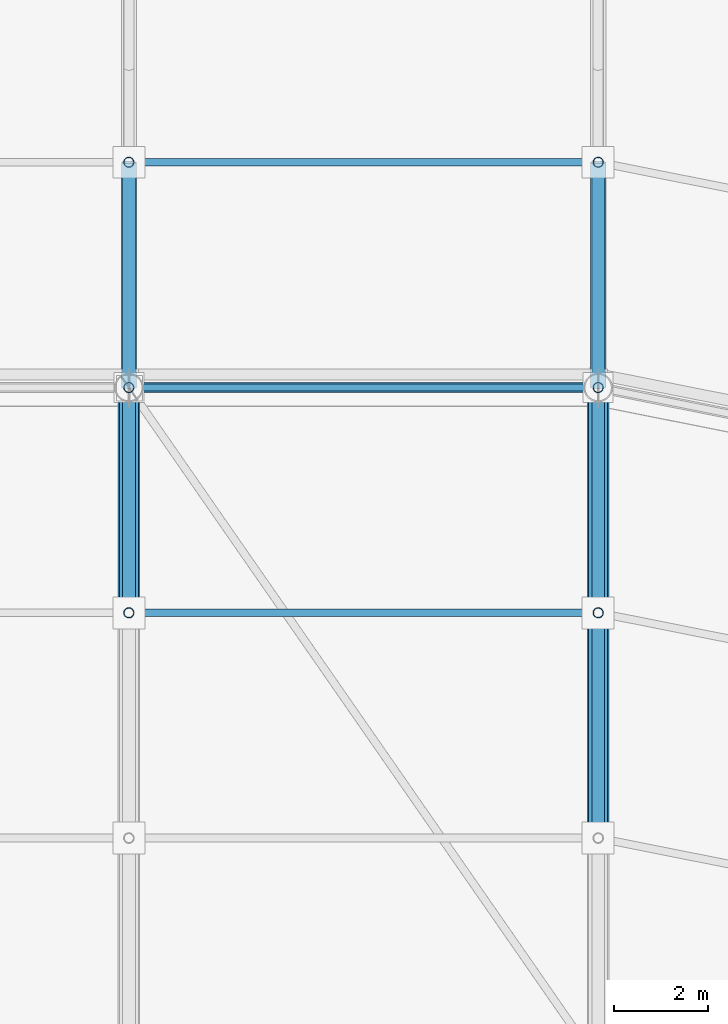
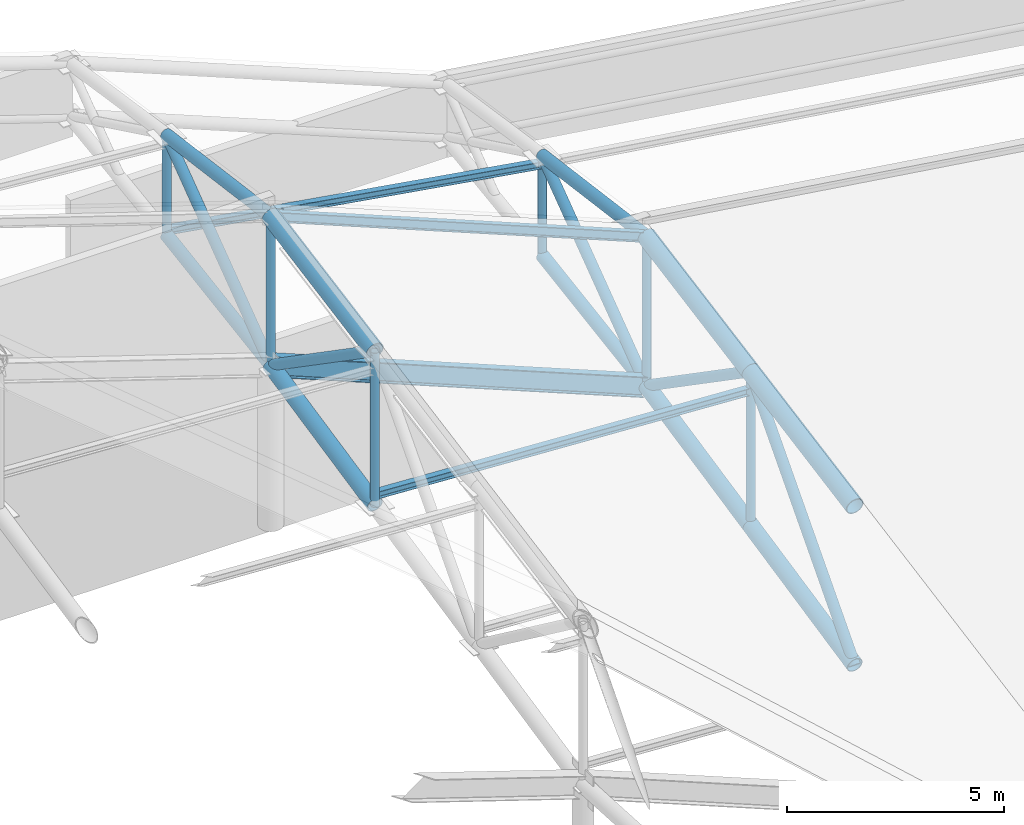
# One storey, part 97 of 146: 23 members, 2 beams.
"""IFC4 building model written with IfcOpenShell, lengths in metres."""

import ifcopenshell
import ifcopenshell.guid

model = None  # the IFC model being written
_history = None  # IfcOwnerHistory: only IFC2X3 demands one
_inside = {}  # id of a spatial element -> (the spatial element, [elements in it])
_under = {}  # id of a project, library or spatial element -> (it, [spatial elements below it])
_declared = {}  # id of a project -> (the project, [libraries it declares])
_typed = {}  # id of a type object -> (the type object, [elements of that type])
_made_of = {}  # id of a material, layer set ... -> (it, [elements and type objects made of it])


def new_model(schema):
    """Start an empty IFC model of exactly this schema.

    Asked for "IFC4X3", IfcOpenShell would pick the latest addendum, in which some entities
    have other attributes; the version numbers below select the first issue.
    IFC2X3 requires an IfcOwnerHistory on every rooted entity: one is made here for all.
    """
    global model, _history
    if schema == "IFC4X3":
        model = ifcopenshell.file(schema_version=(4, 3, 0, 0))
    else:
        model = ifcopenshell.file(schema=schema)
    _inside.clear()
    _under.clear()
    _declared.clear()
    _typed.clear()
    _made_of.clear()
    _history = None
    if model.schema == "IFC2X3":
        org = make("IfcOrganization", Name="unknown")
        user = make(
            "IfcPersonAndOrganization",
            ThePerson=make("IfcPerson", FamilyName="unknown"),
            TheOrganization=org,
        )
        app = make(
            "IfcApplication",
            ApplicationDeveloper=org,
            Version="unknown",
            ApplicationFullName="unknown",
            ApplicationIdentifier="unknown",
        )
        _history = make(
            "IfcOwnerHistory",
            OwningUser=user,
            OwningApplication=app,
            ChangeAction="ADDED",
            CreationDate=0,
        )
    return model


def make(cls, **values):
    """One entity of the class cls with the attributes given. An attribute that is None is left unset."""
    return model.create_entity(
        cls, **{name: value for name, value in values.items() if value is not None}
    )


def rooted(cls, **values):
    """An entity with a GlobalId (a new one), such as an element, a storey or a relation."""
    return make(cls, GlobalId=ifcopenshell.guid.new(), OwnerHistory=_history, **values)


def si_unit(unit_type, name, prefix=None):
    """IfcSIUnit, for example si_unit("LENGTHUNIT", "METRE", prefix="MILLI")."""
    return make("IfcSIUnit", UnitType=unit_type, Prefix=prefix, Name=name)


def assignment(units):
    """IfcUnitAssignment: the units of a project."""
    return None if units is None else make("IfcUnitAssignment", Units=units)


def point(xyz):
    """IfcCartesianPoint."""
    return None if xyz is None else make("IfcCartesianPoint", Coordinates=xyz)


def direction(xyz):
    """IfcDirection."""
    return None if xyz is None else make("IfcDirection", DirectionRatios=xyz)


def frame(location, z_axis=None, x_axis=None):
    """IfcAxis2Placement3D, a coordinate frame: its origin and axes. An axis left out is left unset."""
    return make(
        "IfcAxis2Placement3D",
        Location=point(location),
        Axis=direction(z_axis),
        RefDirection=direction(x_axis),
    )


def frame_2d(location, x_axis=None):
    """IfcAxis2Placement2D, a coordinate frame in the plane: its origin and x axis."""
    return make(
        "IfcAxis2Placement2D", Location=point(location), RefDirection=direction(x_axis)
    )


def origin():
    """The frame at (0, 0, 0) with its axes left unset."""
    return frame((0.0, 0.0, 0.0))


def origin_2d():
    """The frame at (0, 0) in the plane with its x axis left unset."""
    return frame_2d((0.0, 0.0))


def place(relative_to, where):
    """IfcLocalPlacement: puts the frame where relative to a parent placement (None: the world)."""
    return make(
        "IfcLocalPlacement", PlacementRelTo=relative_to, RelativePlacement=where
    )


def context(
    kind, dimensions, precision=None, world=None, true_north=None, identifier=None
):
    """IfcGeometricRepresentationContext, for example the 3D "Model" context."""
    return make(
        "IfcGeometricRepresentationContext",
        ContextIdentifier=identifier,
        ContextType=kind,
        CoordinateSpaceDimension=dimensions,
        Precision=precision,
        WorldCoordinateSystem=world,
        TrueNorth=true_north,
    )


def subcontext(parent, identifier, kind, view, scale=None):
    """IfcGeometricRepresentationSubContext, for example "Body" below "Model"."""
    return make(
        "IfcGeometricRepresentationSubContext",
        ContextIdentifier=identifier,
        ContextType=kind,
        ParentContext=parent,
        TargetScale=scale,
        TargetView=view,
    )


def project(units=None, contexts=None):
    """IfcProject with its units and contexts."""
    return rooted(
        "IfcProject",
        Name="project",
        RepresentationContexts=contexts,
        UnitsInContext=assignment(units),
    )


def spatial(cls, under=None, at=None, **own):
    """A site, building, storey or space (cls), placed at a placement, below another one or the project."""
    s = rooted(cls, ObjectPlacement=at, **own)
    if under is not None:
        _under.setdefault(under.id(), (under, []))[1].append(s)
    return s


def profile(cls, at=None, kind="AREA", **sizes):
    """A parametric profile (cls). Its sizes go by their IFC names, for example OverallWidth=200.0."""
    return make(cls, ProfileType=kind, Position=at, **sizes)


def hollow_circle(**sizes):
    """IfcCircleHollowProfileDef."""
    return profile("IfcCircleHollowProfileDef", **sizes)


def i_section(**sizes):
    """IfcIShapeProfileDef."""
    return profile("IfcIShapeProfileDef", **sizes)


def extrude(swept, where, along, depth):
    """IfcExtrudedAreaSolid: the profile swept, set in the frame where, extruded along a direction by depth."""
    return make(
        "IfcExtrudedAreaSolid",
        SweptArea=swept,
        Position=where,
        ExtrudedDirection=direction(along),
        Depth=depth,
    )


def shape(context_of_items, identifier, shape_type, items):
    """IfcShapeRepresentation: the items that make up one representation, for example the "Body"."""
    return make(
        "IfcShapeRepresentation",
        ContextOfItems=context_of_items,
        RepresentationIdentifier=identifier,
        RepresentationType=shape_type,
        Items=items,
    )


def material(Name=None, Category=None):
    """IfcMaterial."""
    return make("IfcMaterial", Name=Name, Category=Category)


def material_profile(
    of_material, cross_section, Name=None, Category=None, Priority=None
):
    """IfcMaterialProfile: a cross section and its material."""
    return make(
        "IfcMaterialProfile",
        Name=Name,
        Material=of_material,
        Profile=cross_section,
        Priority=Priority,
        Category=Category,
    )


def profile_set(profiles, Name=None, composite=None):
    """IfcMaterialProfileSet."""
    return make(
        "IfcMaterialProfileSet",
        Name=Name,
        MaterialProfiles=profiles,
        CompositeProfile=composite,
    )


def made_of(thing, what):
    """Note that an element or type object is made of a material, layer set ...; save() writes the relation."""
    if what is not None:
        _made_of.setdefault(what.id(), (what, []))[1].append(thing)
    return thing


def type_object(cls, material=None, **own):
    """A type object (cls), such as IfcWallType, which elements share."""
    return made_of(rooted(cls, **own), material)


def element(
    cls,
    number,
    at=None,
    inside=None,
    cuts=None,
    type_object=None,
    material=None,
    context=None,
    identifier="Body",
    shape_type=None,
    held_by="IfcProductDefinitionShape",
    body=None,
    shapes=None,
    **own,
):
    """One element of the class cls, such as IfcWall. Its Tag is "e" and its number.

    at: its placement. inside: the storey or other place that contains it. cuts: it is an
    opening in that element (IfcRelVoidsElement). A single representation is given by context,
    identifier, shape_type and body (its items); several are given by shapes. held_by: the class
    of the entity that holds the representations. save() writes the other relations.
    """
    e = rooted(cls, Tag="e%d" % number, ObjectPlacement=at, **own)
    if body is not None:
        shapes = [shape(context, identifier, shape_type, body)]
    if shapes is not None:
        e.Representation = make(held_by, Representations=shapes)
    if inside is not None:
        _inside.setdefault(inside.id(), (inside, []))[1].append(e)
    if cuts is not None:
        rooted(
            "IfcRelVoidsElement", RelatingBuildingElement=cuts, RelatedOpeningElement=e
        )
    if type_object is not None:
        _typed.setdefault(type_object.id(), (type_object, []))[1].append(e)
    return made_of(e, material)


def aggregate(whole, parts):
    """IfcRelAggregates: a whole, such as a stair, and the parts it consists of."""
    return rooted("IfcRelAggregates", RelatingObject=whole, RelatedObjects=parts)


def save(model, path):
    """Write the relations noted so far, then the file.

    IfcRelAggregates (storeys below a building ...), IfcRelContainedInSpatialStructure (elements
    in a storey), IfcRelDefinesByType, IfcRelAssociatesMaterial and IfcRelDeclares: one each for
    every whole, place, type object, material and project.
    """
    for whole, parts in _under.values():
        aggregate(whole, parts)
    for where, things in _inside.values():
        rooted(
            "IfcRelContainedInSpatialStructure",
            RelatedElements=things,
            RelatingStructure=where,
        )
    for kind, things in _typed.values():
        rooted("IfcRelDefinesByType", RelatedObjects=things, RelatingType=kind)
    for what, things in _made_of.values():
        rooted("IfcRelAssociatesMaterial", RelatedObjects=things, RelatingMaterial=what)
    for by, libraries in _declared.values():
        rooted("IfcRelDeclares", RelatingContext=by, RelatedDefinitions=libraries)
    model.write(path)


model = new_model("IFC4")

# Units and contexts
model_context = context("Model", 3, precision=1e-05, world=origin(), true_north=direction((0.0, 1.0)))
body_context = subcontext(model_context, "Body", "Model", "MODEL_VIEW")
ifc_project = project(units=[si_unit("LENGTHUNIT", "METRE"), si_unit("AREAUNIT", "SQUARE_METRE"), si_unit("VOLUMEUNIT", "CUBIC_METRE"), si_unit("PLANEANGLEUNIT", "RADIAN"), si_unit("MASSUNIT", "GRAM", prefix="KILO")], contexts=[model_context])

# Site, building, storey
site_placement = place(None, origin())
site = spatial("IfcSite", under=ifc_project, at=site_placement, CompositionType="ELEMENT")
building_placement = place(site_placement, origin())
building = spatial("IfcBuilding", under=site, at=building_placement, Name="Candeia Ridge Stadium", CompositionType="ELEMENT")
storey_placement = place(building_placement, frame((0.0, 0.0, 31.800048828125)))
storey = spatial("IfcBuildingStorey", under=building, at=storey_placement, Name="RF", CompositionType="ELEMENT", Elevation=31.800048828125)

# Beams
ifc_material = material(Name="Steel ASTM A572 Grade 50", Category="steel")
ifc_material_profile_1 = material_profile(ifc_material, i_section(OverallWidth=0.14794921875, OverallDepth=0.26611328125, WebThickness=0.007568359375, FlangeThickness=0.012939453125, FilletRadius=0.010986328125, at=origin_2d()), Name="W250x44.8", Category="steel")
ifc_profile_set_1 = profile_set([ifc_material_profile_1], Name="Steel ASTM A572 Grade 50")
beam_type_1 = type_object("IfcBeamType", Name="Canopy Edge Spandrel W250x44.8", PredefinedType="SPANDREL", material=ifc_profile_set_1)
beam_1_placement = place(storey_placement, frame((140.962890625, 147.0, 4.614990234375), z_axis=(-0.925945510704, 0.0, 0.377657134457), x_axis=(0.0, -1.0, 0.0)))
element("IfcBeam", 1, at=beam_1_placement, inside=storey, type_object=beam_type_1, Name="Roof crown cap ring beam bay 01", PredefinedType="SPANDREL", context=body_context, shape_type="SweptSolid", body=[
    extrude(i_section(OverallWidth=0.14794921875, OverallDepth=0.26611328125, WebThickness=0.007568359375, FlangeThickness=0.012939453125, FilletRadius=0.010986328125, at=origin_2d()), origin(), (0.0, 0.0, 1.0), 10.7197265625),
])
ifc_material_profile_2 = material_profile(ifc_material, i_section(OverallWidth=0.2119140625, OverallDepth=0.5439453125, WebThickness=0.01318359375, FlangeThickness=0.021240234375, FilletRadius=0.013916015625, at=origin_2d()), Name="W530x123", Category="steel")
ifc_profile_set_2 = profile_set([ifc_material_profile_2], Name="Steel ASTM A572 Grade 50")
beam_type_2 = type_object("IfcBeamType", Name="Roof Perimeter Ring Beam W530x123", PredefinedType="BEAM", material=ifc_profile_set_2)
beam_2_placement = place(storey_placement, frame((140.962890625, 147.0, 0.4150390625), z_axis=(-0.925945510704, 0.0, 0.377657134457), x_axis=(0.0, -1.0, 0.0)))
element("IfcBeam", 2, at=beam_2_placement, inside=storey, type_object=beam_type_2, Name="Roof perimeter ring beam bay 01", PredefinedType="BEAM", context=body_context, shape_type="SweptSolid", body=[
    extrude(i_section(OverallWidth=0.2119140625, OverallDepth=0.5439453125, WebThickness=0.01318359375, FlangeThickness=0.021240234375, FilletRadius=0.013916015625, at=origin_2d()), origin(), (0.0, 0.0, 1.0), 10.7197265625),
])

# Members
ifc_material_profile_3 = material_profile(ifc_material, i_section(OverallWidth=0.1650390625, OverallDepth=0.200927734375, WebThickness=0.006103515625, FlangeThickness=0.01025390625, FilletRadius=0.010009765625, at=origin_2d()), Name="W200x35.9", Category="steel")
ifc_profile_set_3 = profile_set([ifc_material_profile_3], Name="Steel ASTM A572 Grade 50")
member_type_1 = type_object("IfcMemberType", Name="Roof Purlin W200x35.9", PredefinedType="PURLIN", material=ifc_profile_set_3)
member_1_placement = place(storey_placement, frame((140.9501953125, 142.199951171875, 3.19482421875), z_axis=(-0.998435557369, 0.0, 0.055914557871), x_axis=(0.0, -1.0, 0.0)))
element("IfcMember", 3, at=member_1_placement, inside=storey, type_object=member_type_1, Name="Saddle roof steel purlin bay 01-4", PredefinedType="PURLIN", context=body_context, shape_type="SweptSolid", body=[
    extrude(i_section(OverallWidth=0.1650390625, OverallDepth=0.200927734375, WebThickness=0.006103515625, FlangeThickness=0.01025390625, FilletRadius=0.010009765625, at=origin_2d()), origin(), (0.0, 0.0, 1.0), 9.916015625),
])
member_2_placement = place(storey_placement, frame((140.95068359375, 151.800048828125, 3.746337890625), z_axis=(-0.986942119653, 0.0, 0.161075300572), x_axis=(0.0, -1.0, 0.0)))
element("IfcMember", 4, at=member_2_placement, inside=storey, type_object=member_type_1, Name="Saddle roof steel purlin bay 01-5", PredefinedType="PURLIN", context=body_context, shape_type="SweptSolid", body=[
    extrude(i_section(OverallWidth=0.1650390625, OverallDepth=0.200927734375, WebThickness=0.006103515625, FlangeThickness=0.01025390625, FilletRadius=0.010009765625, at=origin_2d()), origin(), (0.0, 0.0, 1.0), 10.032470703125),
])
ifc_material_profile_4 = material_profile(ifc_material, hollow_circle(Radius=0.161865234375, WallThickness=0.012451171875, at=origin_2d()), Name="CHS323x12", Category="steel")
ifc_profile_set_4 = profile_set([ifc_material_profile_4], Name="Steel ASTM A572 Grade 50")
member_type_2 = type_object("IfcMemberType", Name="Roof Truss Eaves Chord CHS323x12", PredefinedType="CHORD", material=ifc_profile_set_4)
member_3_placement = place(storey_placement, frame((141.0, 147.0, 4.599853515625), z_axis=(0.0, 0.991184698971, -0.132487329683), x_axis=(-1.0, 0.0, 0.0)))
element("IfcMember", 5, at=member_3_placement, inside=storey, type_object=member_type_2, Name="Roof cantilever truss RT-01 top chord 7", PredefinedType="CHORD", context=body_context, shape_type="SweptSolid", body=[
    extrude(hollow_circle(Radius=0.161865234375, WallThickness=0.012451171875, at=origin_2d()), origin(), (0.0, 0.0, 1.0), 4.8427734375),
])
member_4_placement = place(storey_placement, frame((141.0, 147.0, 0.39990234375), z_axis=(0.0, 0.987950881294, 0.154767749066), x_axis=(-1.0, 0.0, 0.0)))
element("IfcMember", 6, at=member_4_placement, inside=storey, type_object=member_type_2, Name="Roof cantilever truss RT-01 bottom chord 7", PredefinedType="CHORD", context=body_context, shape_type="SweptSolid", body=[
    extrude(hollow_circle(Radius=0.161865234375, WallThickness=0.012451171875, at=origin_2d()), origin(), (0.0, 0.0, 1.0), 4.858642578125),
])
member_5_placement = place(storey_placement, frame((131.0, 147.0, 8.678466796875), z_axis=(0.0, 0.991184698971, -0.132487329683), x_axis=(-1.0, 0.0, 0.0)))
element("IfcMember", 7, at=member_5_placement, inside=storey, type_object=member_type_2, Name="Roof cantilever truss RT-02 top chord 7", PredefinedType="CHORD", context=body_context, shape_type="SweptSolid", body=[
    extrude(hollow_circle(Radius=0.161865234375, WallThickness=0.012451171875, at=origin_2d()), origin(), (0.0, 0.0, 1.0), 4.8427734375),
])
member_6_placement = place(storey_placement, frame((131.0, 147.0, 4.478515625), z_axis=(0.0, 0.987950881294, 0.154767749066), x_axis=(-1.0, 0.0, 0.0)))
element("IfcMember", 8, at=member_6_placement, inside=storey, type_object=member_type_2, Name="Roof cantilever truss RT-02 bottom chord 7", PredefinedType="CHORD", context=body_context, shape_type="SweptSolid", body=[
    extrude(hollow_circle(Radius=0.161865234375, WallThickness=0.012451171875, at=origin_2d()), origin(), (0.0, 0.0, 1.0), 4.858642578125),
])
ifc_material_profile_5 = material_profile(ifc_material, hollow_circle(Radius=0.136474609375, WallThickness=0.010009765625, at=origin_2d()), Name="CHS273x10", Category="steel")
ifc_profile_set_5 = profile_set([ifc_material_profile_5], Name="Steel ASTM A572 Grade 50")
member_type_3 = type_object("IfcMemberType", Name="Roof Truss Heavy Web Brace CHS273x10", PredefinedType="BRACE", material=ifc_profile_set_5)
member_7_placement = place(storey_placement, frame((141.0, 137.39990234375, -1.642822265625), z_axis=(0.0, 0.667487252066, 0.744621224737), x_axis=(-1.0, 0.0, 0.0)))
element("IfcMember", 9, at=member_7_placement, inside=storey, type_object=member_type_3, Name="Roof cantilever truss RT-01 diagonal web 5", PredefinedType="BRACE", context=body_context, shape_type="SweptSolid", body=[
    extrude(hollow_circle(Radius=0.136474609375, WallThickness=0.010009765625, at=origin_2d()), origin(), (0.0, 0.0, 1.0), 7.191162109375),
])
member_8_placement = place(storey_placement, frame((141.0, 142.199951171875, 3.7119140625), z_axis=(0.0, 0.823081876777, -0.567922727245), x_axis=(-1.0, 0.0, 0.0)))
element("IfcMember", 10, at=member_8_placement, inside=storey, type_object=member_type_3, Name="Roof cantilever truss RT-01 diagonal web 6", PredefinedType="BRACE", context=body_context, shape_type="SweptSolid", body=[
    extrude(hollow_circle(Radius=0.136474609375, WallThickness=0.010009765625, at=origin_2d()), origin(), (0.0, 0.0, 1.0), 5.831787109375),
])
member_9_placement = place(storey_placement, frame((141.0, 147.0, 0.39990234375), z_axis=(0.0, 0.803336374347, 0.595525540721), x_axis=(-1.0, 0.0, 0.0)))
element("IfcMember", 11, at=member_9_placement, inside=storey, type_object=member_type_3, Name="Roof cantilever truss RT-01 diagonal web 7", PredefinedType="BRACE", context=body_context, shape_type="SweptSolid", body=[
    extrude(hollow_circle(Radius=0.136474609375, WallThickness=0.010009765625, at=origin_2d()), origin(), (0.0, 0.0, 1.0), 5.97509765625),
])
member_10_placement = place(storey_placement, frame((131.0, 142.199951171875, 7.79052734375), z_axis=(0.0, 0.823081876777, -0.567922727245), x_axis=(-1.0, 0.0, 0.0)))
element("IfcMember", 12, at=member_10_placement, inside=storey, type_object=member_type_3, Name="Roof cantilever truss RT-02 diagonal web 6", PredefinedType="BRACE", context=body_context, shape_type="SweptSolid", body=[
    extrude(hollow_circle(Radius=0.136474609375, WallThickness=0.010009765625, at=origin_2d()), origin(), (0.0, 0.0, 1.0), 5.831787109375),
])
member_11_placement = place(storey_placement, frame((131.0, 147.0, 4.478515625), z_axis=(0.0, 0.803336374347, 0.595525540721), x_axis=(-1.0, 0.0, 0.0)))
element("IfcMember", 13, at=member_11_placement, inside=storey, type_object=member_type_3, Name="Roof cantilever truss RT-02 diagonal web 7", PredefinedType="BRACE", context=body_context, shape_type="SweptSolid", body=[
    extrude(hollow_circle(Radius=0.136474609375, WallThickness=0.010009765625, at=origin_2d()), origin(), (0.0, 0.0, 1.0), 5.97509765625),
])
ifc_material_profile_6 = material_profile(ifc_material, hollow_circle(Radius=0.109619140625, WallThickness=0.010009765625, at=origin_2d()), Name="CHS219x10", Category="steel")
ifc_profile_set_6 = profile_set([ifc_material_profile_6], Name="Steel ASTM A572 Grade 50")
member_type_4 = type_object("IfcMemberType", Name="Roof Truss Inner Web Brace CHS219x10", PredefinedType="BRACE", material=ifc_profile_set_6)
member_12_placement = place(storey_placement, frame((141.0, 142.199951171875, -0.621337890625), z_axis=(0.0, 0.0, 1.0), x_axis=(1.0, 0.0, 0.0)))
element("IfcMember", 14, at=member_12_placement, inside=storey, type_object=member_type_4, Name="Roof cantilever truss RT-01 vertical post 5", PredefinedType="BRACE", context=body_context, shape_type="SweptSolid", body=[
    extrude(hollow_circle(Radius=0.109619140625, WallThickness=0.010009765625, at=origin_2d()), origin(), (0.0, 0.0, 1.0), 4.333251953125),
])
member_13_placement = place(storey_placement, frame((141.0, 147.0, 0.39990234375), z_axis=(0.0, 0.0, 1.0), x_axis=(1.0, 0.0, 0.0)))
element("IfcMember", 15, at=member_13_placement, inside=storey, type_object=member_type_4, Name="Roof cantilever truss RT-01 vertical post 6", PredefinedType="BRACE", context=body_context, shape_type="SweptSolid", body=[
    extrude(hollow_circle(Radius=0.109619140625, WallThickness=0.010009765625, at=origin_2d()), origin(), (0.0, 0.0, 1.0), 4.199951171875),
])
member_14_placement = place(storey_placement, frame((141.0, 151.800048828125, 1.15185546875), z_axis=(0.0, 0.0, 1.0), x_axis=(1.0, 0.0, 0.0)))
element("IfcMember", 16, at=member_14_placement, inside=storey, type_object=member_type_4, Name="Roof cantilever truss RT-01 vertical post 7", PredefinedType="BRACE", context=body_context, shape_type="SweptSolid", body=[
    extrude(hollow_circle(Radius=0.109619140625, WallThickness=0.010009765625, at=origin_2d()), origin(), (0.0, 0.0, 1.0), 2.806396484375),
])
member_15_placement = place(storey_placement, frame((131.0, 142.199951171875, 3.45703125), z_axis=(0.0, 0.0, 1.0), x_axis=(1.0, 0.0, 0.0)))
element("IfcMember", 17, at=member_15_placement, inside=storey, type_object=member_type_4, Name="Roof cantilever truss RT-02 vertical post 5", PredefinedType="BRACE", context=body_context, shape_type="SweptSolid", body=[
    extrude(hollow_circle(Radius=0.109619140625, WallThickness=0.010009765625, at=origin_2d()), origin(), (0.0, 0.0, 1.0), 4.33349609375),
])
member_16_placement = place(storey_placement, frame((131.0, 147.0, 4.478515625), z_axis=(0.0, 0.0, 1.0), x_axis=(1.0, 0.0, 0.0)))
element("IfcMember", 18, at=member_16_placement, inside=storey, type_object=member_type_4, Name="Roof cantilever truss RT-02 vertical post 6", PredefinedType="BRACE", context=body_context, shape_type="SweptSolid", body=[
    extrude(hollow_circle(Radius=0.109619140625, WallThickness=0.010009765625, at=origin_2d()), origin(), (0.0, 0.0, 1.0), 4.199951171875),
])
member_17_placement = place(storey_placement, frame((131.0, 151.800048828125, 5.23046875), z_axis=(0.0, 0.0, 1.0), x_axis=(1.0, 0.0, 0.0)))
element("IfcMember", 19, at=member_17_placement, inside=storey, type_object=member_type_4, Name="Roof cantilever truss RT-02 vertical post 7", PredefinedType="BRACE", context=body_context, shape_type="SweptSolid", body=[
    extrude(hollow_circle(Radius=0.109619140625, WallThickness=0.010009765625, at=origin_2d()), origin(), (0.0, 0.0, 1.0), 2.806396484375),
])
ifc_material_profile_7 = material_profile(ifc_material, hollow_circle(Radius=0.228515625, WallThickness=0.02001953125, at=origin_2d()), Name="CHS457x20", Category="steel")
ifc_profile_set_7 = profile_set([ifc_material_profile_7], Name="Steel ASTM A572 Grade 50")
member_type_5 = type_object("IfcMemberType", Name="Roof Truss Main Chord CHS457x20", PredefinedType="CHORD", material=ifc_profile_set_7)
for number, where, z_axis, x_axis, name in (
    (20, (141.0, 137.39990234375, 2.823974609375), (0.0, 0.983317142098, 0.181899417416), (-1.0, 0.0, 0.0), "Roof cantilever truss RT-01 top chord 5"),
    (21, (141.0, 142.199951171875, 3.7119140625), (0.0, 0.983317142098, 0.181899417416), (-1.0, 0.0, 0.0), "Roof cantilever truss RT-01 top chord 6"),
    (22, (131.0, 142.199951171875, 7.79052734375), (0.0, 0.983317142098, 0.181899417416), (-1.0, 0.0, 0.0), "Roof cantilever truss RT-02 top chord 6"),
):
    element("IfcMember", number, at=place(storey_placement, frame(where, z_axis=z_axis, x_axis=x_axis)), inside=storey, type_object=member_type_5, Name=name, PredefinedType="CHORD", context=body_context, shape_type="SweptSolid", body=[
        extrude(hollow_circle(Radius=0.228515625, WallThickness=0.02001953125, at=origin_2d()), origin(), (0.0, 0.0, 1.0), 4.881591796875),
    ])
ifc_material_profile_8 = material_profile(ifc_material, hollow_circle(Radius=0.202880859375, WallThickness=0.01611328125, at=origin_2d()), Name="CHS406x16", Category="steel")
ifc_profile_set_8 = profile_set([ifc_material_profile_8], Name="Steel ASTM A572 Grade 50")
member_type_6 = type_object("IfcMemberType", Name="Roof Truss Outer Chord CHS406x16", PredefinedType="CHORD", material=ifc_profile_set_8)
for number, where, z_axis, x_axis, name in (
    (23, (141.0, 137.39990234375, -1.642822265625), (0.0, 0.978097741011, 0.208146124225), (-1.0, 0.0, 0.0), "Roof cantilever truss RT-01 bottom chord 5"),
    (24, (141.0, 142.199951171875, -0.621337890625), (0.0, 0.97810786804, 0.208098530696), (-1.0, 0.0, 0.0), "Roof cantilever truss RT-01 bottom chord 6"),
    (25, (131.0, 142.199951171875, 3.45703125), (0.0, 0.978097741011, 0.208146124225), (-1.0, 0.0, 0.0), "Roof cantilever truss RT-02 bottom chord 6"),
):
    element("IfcMember", number, at=place(storey_placement, frame(where, z_axis=z_axis, x_axis=x_axis)), inside=storey, type_object=member_type_6, Name=name, PredefinedType="CHORD", context=body_context, shape_type="SweptSolid", body=[
        extrude(hollow_circle(Radius=0.202880859375, WallThickness=0.01611328125, at=origin_2d()), origin(), (0.0, 0.0, 1.0), 4.907470703125),
    ])

save(model, "model.ifc")
